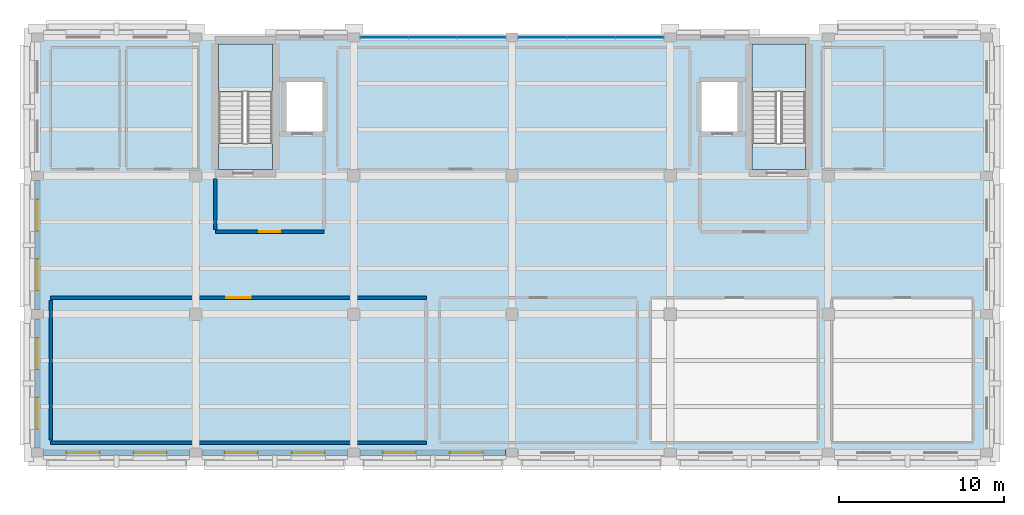
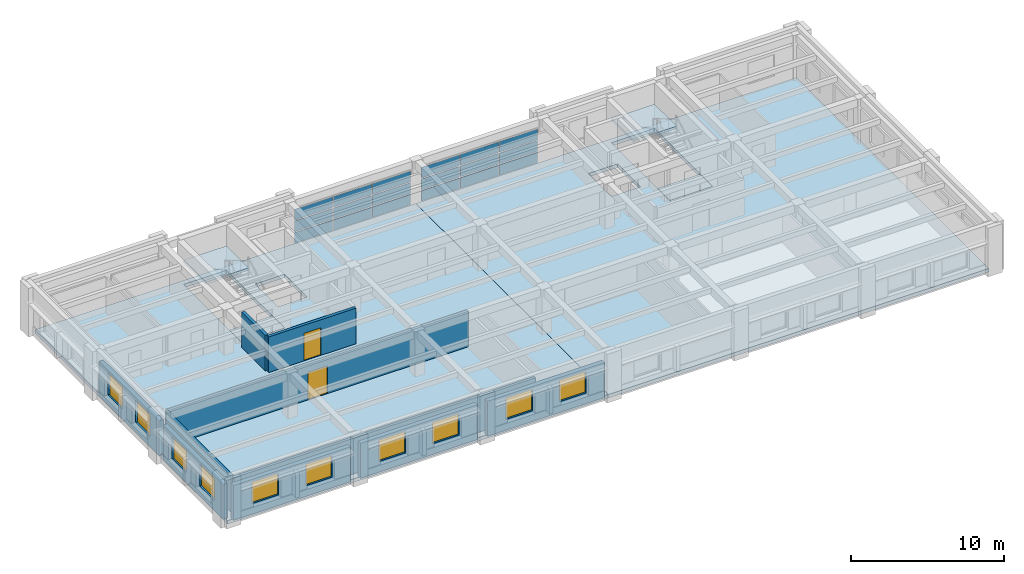
# One storey, part 5 of 11: 18 plates, 10 walls, 10 windows, 6 slabs, 2 doors, 12 openings, 4 elements without a shape of their own.
"""IFC4 building model written with IfcOpenShell, lengths in metres."""

from ifc_helpers import new_model, si_unit, direction, frame, frame_2d, origin, origin_2d, place, context, subcontext, project, spatial, polyline, rectangle, outline, extrude, material, layer, layer_set, type_object, element, fill, aggregate, save


model = new_model("IFC4")

# Units and contexts
model_context = context("Model", 3, precision=1e-05, world=origin(), true_north=direction((0.0, 1.0)))
body_context = subcontext(model_context, "Body", "Model", "MODEL_VIEW")
ifc_project = project(units=[si_unit("LENGTHUNIT", "METRE"), si_unit("AREAUNIT", "SQUARE_METRE"), si_unit("VOLUMEUNIT", "CUBIC_METRE"), si_unit("PLANEANGLEUNIT", "RADIAN"), si_unit("MASSUNIT", "GRAM", prefix="KILO")], contexts=[model_context])

# Site, building, storey
site_placement = place(None, origin())
site = spatial("IfcSite", under=ifc_project, at=site_placement, CompositionType="ELEMENT")
building_placement = place(site_placement, origin())
building = spatial("IfcBuilding", under=site, at=building_placement, Name="Bempovik Park Faculty of Sciences", CompositionType="ELEMENT")
storey_placement = place(building_placement, frame((0.0, 0.0, 30.60009765625)))
storey = spatial("IfcBuildingStorey", under=building, at=storey_placement, Name="L07", CompositionType="ELEMENT", Elevation=30.60009765625)

# Curtain wall, plates
ifc_material_1 = material(Name="Tempered laminated low-E glass", Category="glass")
ifc_layer_1 = layer(ifc_material_1, 0.159912109375)
ifc_layer_set_1 = layer_set([ifc_layer_1], Name="Tempered laminated low-E glass")
curtain_wall_type = type_object("IfcCurtainWallType", Name="CW-24 Curtain 7000x3500", PredefinedType="USERDEFINED", material=ifc_layer_set_1)
curtain_wall_1_placement = place(storey_placement, origin())
curtain_wall_1 = element("IfcCurtainWall", 1, at=curtain_wall_1_placement, inside=storey, type_object=curtain_wall_type, Name="L07 Unitised Curtain Wall (119.4,79.2)", ObjectType="UNITISED CURTAIN WALL", PredefinedType="USERDEFINED")
ifc_layer_2 = layer(ifc_material_1, 0.028076171875)
ifc_layer_set_2 = layer_set([ifc_layer_2], Name="Tempered laminated low-E glass")
plate_type_1 = type_object("IfcPlateType", Name="CP-20 Curtain Panel 28mm", PredefinedType="CURTAIN_PANEL", material=ifc_layer_set_2)
plate_1_placement = place(storey_placement, frame((81.05126953125, 119.39990234375, 0.966552734375), z_axis=(0.0, 0.0, 1.0), x_axis=(1.0, 0.0, 0.0)))
plate_1 = element("IfcPlate", 2, at=plate_1_placement, type_object=plate_type_1, Name="CW-BAY-L07-1194-792 Panel 0-1", PredefinedType="CURTAIN_PANEL", context=body_context, shape_type="SweptSolid", body=[
    extrude(rectangle(XDim=2.86865234375, YDim=0.035888671875, at=origin_2d()), origin(), (0.0, 0.0, 1.0), 0.8466796875),
])
plate_2_placement = place(storey_placement, frame((81.05126953125, 119.39990234375, 1.893310546875), z_axis=(0.0, 0.0, 1.0), x_axis=(1.0, 0.0, 0.0)))
plate_2 = element("IfcPlate", 3, at=plate_2_placement, type_object=plate_type_1, Name="CW-BAY-L07-1194-792 Panel 0-2", PredefinedType="CURTAIN_PANEL", context=body_context, shape_type="SweptSolid", body=[
    extrude(rectangle(XDim=2.86865234375, YDim=0.035888671875, at=origin_2d()), origin(), (0.0, 0.0, 1.0), 0.8466796875),
])
plate_3_placement = place(storey_placement, frame((84.0, 119.39990234375, 0.966552734375), z_axis=(0.0, 0.0, 1.0), x_axis=(1.0, 0.0, 0.0)))
plate_3 = element("IfcPlate", 4, at=plate_3_placement, type_object=plate_type_1, Name="CW-BAY-L07-1194-792 Panel 1-1", PredefinedType="CURTAIN_PANEL", context=body_context, shape_type="SweptSolid", body=[
    extrude(rectangle(XDim=2.86865234375, YDim=0.035888671875, at=origin_2d()), origin(), (0.0, 0.0, 1.0), 0.8466796875),
])
plate_4_placement = place(storey_placement, frame((84.0, 119.39990234375, 1.893310546875), z_axis=(0.0, 0.0, 1.0), x_axis=(1.0, 0.0, 0.0)))
plate_4 = element("IfcPlate", 5, at=plate_4_placement, type_object=plate_type_1, Name="CW-BAY-L07-1194-792 Panel 1-2", PredefinedType="CURTAIN_PANEL", context=body_context, shape_type="SweptSolid", body=[
    extrude(rectangle(XDim=2.86865234375, YDim=0.035888671875, at=origin_2d()), origin(), (0.0, 0.0, 1.0), 0.8466796875),
])
plate_5_placement = place(storey_placement, frame((86.94873046875, 119.39990234375, 0.966552734375), z_axis=(0.0, 0.0, 1.0), x_axis=(1.0, 0.0, 0.0)))
plate_5 = element("IfcPlate", 6, at=plate_5_placement, type_object=plate_type_1, Name="CW-BAY-L07-1194-792 Panel 2-1", PredefinedType="CURTAIN_PANEL", context=body_context, shape_type="SweptSolid", body=[
    extrude(rectangle(XDim=2.86865234375, YDim=0.035888671875, at=origin_2d()), origin(), (0.0, 0.0, 1.0), 0.8466796875),
])
plate_6_placement = place(storey_placement, frame((86.94873046875, 119.39990234375, 1.893310546875), z_axis=(0.0, 0.0, 1.0), x_axis=(1.0, 0.0, 0.0)))
plate_6 = element("IfcPlate", 7, at=plate_6_placement, type_object=plate_type_1, Name="CW-BAY-L07-1194-792 Panel 2-2", PredefinedType="CURTAIN_PANEL", context=body_context, shape_type="SweptSolid", body=[
    extrude(rectangle(XDim=2.86865234375, YDim=0.035888671875, at=origin_2d()), origin(), (0.0, 0.0, 1.0), 0.8466796875),
])

curtain_wall_2_placement = place(storey_placement, origin())
curtain_wall_2 = element("IfcCurtainWall", 8, at=curtain_wall_2_placement, inside=storey, type_object=curtain_wall_type, Name="L07 Unitised Curtain Wall (119.4,88.8)", ObjectType="UNITISED CURTAIN WALL", PredefinedType="USERDEFINED")
plate_7_placement = place(storey_placement, frame((90.6513671875, 119.39990234375, 0.966552734375), z_axis=(0.0, 0.0, 1.0), x_axis=(1.0, 0.0, 0.0)))
plate_7 = element("IfcPlate", 9, at=plate_7_placement, type_object=plate_type_1, Name="CW-BAY-L07-1194-888 Panel 0-1", PredefinedType="CURTAIN_PANEL", context=body_context, shape_type="SweptSolid", body=[
    extrude(rectangle(XDim=2.86865234375, YDim=0.035888671875, at=origin_2d()), origin(), (0.0, 0.0, 1.0), 0.8466796875),
])
plate_8_placement = place(storey_placement, frame((90.6513671875, 119.39990234375, 1.893310546875), z_axis=(0.0, 0.0, 1.0), x_axis=(1.0, 0.0, 0.0)))
plate_8 = element("IfcPlate", 10, at=plate_8_placement, type_object=plate_type_1, Name="CW-BAY-L07-1194-888 Panel 0-2", PredefinedType="CURTAIN_PANEL", context=body_context, shape_type="SweptSolid", body=[
    extrude(rectangle(XDim=2.86865234375, YDim=0.035888671875, at=origin_2d()), origin(), (0.0, 0.0, 1.0), 0.8466796875),
])
plate_9_placement = place(storey_placement, frame((93.60009765625, 119.39990234375, 0.966552734375), z_axis=(0.0, 0.0, 1.0), x_axis=(1.0, 0.0, 0.0)))
plate_9 = element("IfcPlate", 11, at=plate_9_placement, type_object=plate_type_1, Name="CW-BAY-L07-1194-888 Panel 1-1", PredefinedType="CURTAIN_PANEL", context=body_context, shape_type="SweptSolid", body=[
    extrude(rectangle(XDim=2.86865234375, YDim=0.035888671875, at=origin_2d()), origin(), (0.0, 0.0, 1.0), 0.8466796875),
])
plate_10_placement = place(storey_placement, frame((93.60009765625, 119.39990234375, 1.893310546875), z_axis=(0.0, 0.0, 1.0), x_axis=(1.0, 0.0, 0.0)))
plate_10 = element("IfcPlate", 12, at=plate_10_placement, type_object=plate_type_1, Name="CW-BAY-L07-1194-888 Panel 1-2", PredefinedType="CURTAIN_PANEL", context=body_context, shape_type="SweptSolid", body=[
    extrude(rectangle(XDim=2.86865234375, YDim=0.035888671875, at=origin_2d()), origin(), (0.0, 0.0, 1.0), 0.8466796875),
])
plate_11_placement = place(storey_placement, frame((96.548583984375, 119.39990234375, 0.966552734375), z_axis=(0.0, 0.0, 1.0), x_axis=(1.0, 0.0, 0.0)))
plate_11 = element("IfcPlate", 13, at=plate_11_placement, type_object=plate_type_1, Name="CW-BAY-L07-1194-888 Panel 2-1", PredefinedType="CURTAIN_PANEL", context=body_context, shape_type="SweptSolid", body=[
    extrude(rectangle(XDim=2.86865234375, YDim=0.035888671875, at=origin_2d()), origin(), (0.0, 0.0, 1.0), 0.8466796875),
])
plate_12_placement = place(storey_placement, frame((96.548583984375, 119.39990234375, 1.893310546875), z_axis=(0.0, 0.0, 1.0), x_axis=(1.0, 0.0, 0.0)))
plate_12 = element("IfcPlate", 14, at=plate_12_placement, type_object=plate_type_1, Name="CW-BAY-L07-1194-888 Panel 2-2", PredefinedType="CURTAIN_PANEL", context=body_context, shape_type="SweptSolid", body=[
    extrude(rectangle(XDim=2.86865234375, YDim=0.035888671875, at=origin_2d()), origin(), (0.0, 0.0, 1.0), 0.8466796875),
])

# Plate
ifc_material_2 = material(Name="Anodised architectural bronze")
ifc_layer_3 = layer(ifc_material_2, 0.048095703125)
ifc_layer_set_3 = layer_set([ifc_layer_3], Name="Anodised architectural bronze")
plate_type_2 = type_object("IfcPlateType", Name="CP-24 Curtain Panel 48mm", PredefinedType="CURTAIN_PANEL", material=ifc_layer_set_3)
plate_13_placement = place(storey_placement, frame((81.05126953125, 119.39990234375, 0.039794921875), z_axis=(0.0, 0.0, 1.0), x_axis=(1.0, 0.0, 0.0)))
plate_13 = element("IfcPlate", 15, at=plate_13_placement, type_object=plate_type_2, Name="CW-BAY-L07-1194-792 Panel 0-0", PredefinedType="CURTAIN_PANEL", context=body_context, shape_type="SweptSolid", body=[
    extrude(rectangle(XDim=2.86865234375, YDim=0.035888671875, at=origin_2d()), origin(), (0.0, 0.0, 1.0), 0.8466796875),
])

plate_14_placement = place(storey_placement, frame((84.0, 119.39990234375, 0.039794921875), z_axis=(0.0, 0.0, 1.0), x_axis=(1.0, 0.0, 0.0)))
plate_14 = element("IfcPlate", 16, at=plate_14_placement, type_object=plate_type_2, Name="CW-BAY-L07-1194-792 Panel 1-0", PredefinedType="CURTAIN_PANEL", context=body_context, shape_type="SweptSolid", body=[
    extrude(rectangle(XDim=2.86865234375, YDim=0.035888671875, at=origin_2d()), origin(), (0.0, 0.0, 1.0), 0.8466796875),
])

plate_15_placement = place(storey_placement, frame((86.94873046875, 119.39990234375, 0.039794921875), z_axis=(0.0, 0.0, 1.0), x_axis=(1.0, 0.0, 0.0)))
plate_15 = element("IfcPlate", 17, at=plate_15_placement, type_object=plate_type_2, Name="CW-BAY-L07-1194-792 Panel 2-0", PredefinedType="CURTAIN_PANEL", context=body_context, shape_type="SweptSolid", body=[
    extrude(rectangle(XDim=2.86865234375, YDim=0.035888671875, at=origin_2d()), origin(), (0.0, 0.0, 1.0), 0.8466796875),
])

aggregate(curtain_wall_1, [plate_13, plate_1, plate_2, plate_14, plate_3, plate_4, plate_15, plate_5, plate_6])

plate_16_placement = place(storey_placement, frame((90.6513671875, 119.39990234375, 0.039794921875), z_axis=(0.0, 0.0, 1.0), x_axis=(1.0, 0.0, 0.0)))
plate_16 = element("IfcPlate", 18, at=plate_16_placement, type_object=plate_type_2, Name="CW-BAY-L07-1194-888 Panel 0-0", PredefinedType="CURTAIN_PANEL", context=body_context, shape_type="SweptSolid", body=[
    extrude(rectangle(XDim=2.86865234375, YDim=0.035888671875, at=origin_2d()), origin(), (0.0, 0.0, 1.0), 0.8466796875),
])

plate_17_placement = place(storey_placement, frame((93.60009765625, 119.39990234375, 0.039794921875), z_axis=(0.0, 0.0, 1.0), x_axis=(1.0, 0.0, 0.0)))
plate_17 = element("IfcPlate", 19, at=plate_17_placement, type_object=plate_type_2, Name="CW-BAY-L07-1194-888 Panel 1-0", PredefinedType="CURTAIN_PANEL", context=body_context, shape_type="SweptSolid", body=[
    extrude(rectangle(XDim=2.86865234375, YDim=0.035888671875, at=origin_2d()), origin(), (0.0, 0.0, 1.0), 0.8466796875),
])

plate_18_placement = place(storey_placement, frame((96.548583984375, 119.39990234375, 0.039794921875), z_axis=(0.0, 0.0, 1.0), x_axis=(1.0, 0.0, 0.0)))
plate_18 = element("IfcPlate", 20, at=plate_18_placement, type_object=plate_type_2, Name="CW-BAY-L07-1194-888 Panel 2-0", PredefinedType="CURTAIN_PANEL", context=body_context, shape_type="SweptSolid", body=[
    extrude(rectangle(XDim=2.86865234375, YDim=0.035888671875, at=origin_2d()), origin(), (0.0, 0.0, 1.0), 0.8466796875),
])

aggregate(curtain_wall_2, [plate_16, plate_7, plate_8, plate_17, plate_9, plate_10, plate_18, plate_11, plate_12])

# Slabs
ifc_material_3 = material(Name="Concrete C35/45", Category="concrete")
ifc_layer_4 = layer(ifc_material_3, 0.280029296875)
ifc_layer_set_4 = layer_set([ifc_layer_4], Name="Concrete C35/45")
slab_type_1 = type_object("IfcSlabType", Name="S-32 Slab 280mm", PredefinedType="FLOOR", material=ifc_layer_set_4)
slab_1_placement = place(storey_placement, frame((0.0, 0.0, -0.280029296875)))
element("IfcSlab", 21, at=slab_1_placement, inside=storey, type_object=slab_type_1, Name="L07 North Research Tower Floor Slab (W)", PredefinedType="FLOOR", context=body_context, shape_type="SweptSolid", body=[
    extrude(outline(polyline([(60.0, 94.199951171875), (88.800048828125, 94.199951171875), (88.800048828125, 119.39990234375), (60.0, 119.39990234375), (60.0, 94.199951171875)]), holes=[polyline([(71.0, 111.375), (74.25, 111.375), (74.25, 119.0), (71.0, 119.0), (71.0, 111.375)]), polyline([(75.10009765625, 113.699951171875), (77.300048828125, 113.699951171875), (77.300048828125, 116.699951171875), (75.10009765625, 116.699951171875), (75.10009765625, 113.699951171875)])]), origin(), (0.0, 0.0, 1.0), 0.280029296875),
])
slab_2_placement = place(storey_placement, frame((0.0, 0.0, -0.280029296875)))
element("IfcSlab", 22, at=slab_2_placement, inside=storey, type_object=slab_type_1, Name="L07 North Research Tower Floor Slab (E)", PredefinedType="FLOOR", context=body_context, shape_type="SweptSolid", body=[
    extrude(outline(polyline([(88.800048828125, 94.199951171875), (117.60009765625, 94.199951171875), (117.60009765625, 119.39990234375), (88.800048828125, 119.39990234375), (88.800048828125, 94.199951171875)]), holes=[polyline([(103.375, 111.375), (106.625, 111.375), (106.625, 119.0), (103.375, 119.0), (103.375, 111.375)]), polyline([(100.300048828125, 113.699951171875), (102.5, 113.699951171875), (102.5, 116.699951171875), (100.300048828125, 116.699951171875), (100.300048828125, 113.699951171875)])]), origin(), (0.0, 0.0, 1.0), 0.280029296875),
])

# Stair, slab
stair_type = type_object("IfcStairType", Name="ST-17 Stair W1500 H3900", PredefinedType="HALF_TURN_STAIR", material=ifc_material_3)
stair_1_placement = place(storey_placement, origin())
stair_1 = element("IfcStair", 23, at=stair_1_placement, inside=storey, type_object=stair_type, Name="L07 ST-1 Dog-Leg Exit Stair", PredefinedType="HALF_TURN_STAIR")
ifc_layer_5 = layer(ifc_material_3, 0.199951171875)
ifc_layer_set_5 = layer_set([ifc_layer_5], Name="Concrete C35/45")
slab_type_2 = type_object("IfcSlabType", Name="S-41 Slab 200mm", PredefinedType="LANDING", material=ifc_layer_set_5)
slab_3_placement = place(storey_placement, frame((0.0, 0.0, 1.75)))
slab_3 = element("IfcSlab", 24, at=slab_3_placement, type_object=slab_type_2, Name="ST-17 landing 1", PredefinedType="LANDING", context=body_context, shape_type="SweptSolid", body=[
    extrude(outline(polyline([(74.25, 116.09375), (74.25, 119.0), (71.0, 119.0), (71.0, 116.09375), (74.25, 116.09375)])), origin(), (0.0, 0.0, 1.0), 0.199951171875),
])
aggregate(stair_1, [slab_3])

# Slab
slab_4_placement = place(storey_placement, frame((0.0, 0.0, -0.280029296875)))
element("IfcSlab", 25, at=slab_4_placement, inside=storey, type_object=slab_type_2, Name="L07 ST-1 Floor Landing Slab", PredefinedType="LANDING", context=body_context, shape_type="SweptSolid", body=[
    extrude(outline(polyline([(74.25, 111.375), (74.25, 113.0), (71.0, 113.0), (71.0, 111.375), (74.25, 111.375)])), origin(), (0.0, 0.0, 1.0), 0.280029296875),
])

# Stair, slab
stair_2_placement = place(storey_placement, origin())
stair_2 = element("IfcStair", 26, at=stair_2_placement, inside=storey, type_object=stair_type, Name="L07 ST-2 Dog-Leg Exit Stair", PredefinedType="HALF_TURN_STAIR")
slab_5_placement = place(storey_placement, frame((0.0, 0.0, 1.75)))
slab_5 = element("IfcSlab", 27, at=slab_5_placement, type_object=slab_type_2, Name="ST-17 landing 1", PredefinedType="LANDING", context=body_context, shape_type="SweptSolid", body=[
    extrude(outline(polyline([(106.625, 116.09375), (106.625, 119.0), (103.375, 119.0), (103.375, 116.09375), (106.625, 116.09375)])), origin(), (0.0, 0.0, 1.0), 0.199951171875),
])
aggregate(stair_2, [slab_5])

# Slab
slab_6_placement = place(storey_placement, frame((0.0, 0.0, -0.280029296875)))
element("IfcSlab", 28, at=slab_6_placement, inside=storey, type_object=slab_type_2, Name="L07 ST-2 Floor Landing Slab", PredefinedType="LANDING", context=body_context, shape_type="SweptSolid", body=[
    extrude(outline(polyline([(106.625, 111.375), (106.625, 113.0), (103.375, 113.0), (103.375, 111.375), (106.625, 111.375)])), origin(), (0.0, 0.0, 1.0), 0.280029296875),
])

# Wall, opening, door
ifc_layer_6 = layer(ifc_material_3, 0.219970703125)
ifc_layer_set_6 = layer_set([ifc_layer_6], Name="Concrete C35/45")
wall_type_1 = type_object("IfcWallType", Name="W-38 Wall 220mm", PredefinedType="PARTITIONING", material=ifc_layer_set_6)
wall_1_placement = place(storey_placement, frame((70.800048828125, 107.60009765625, 0.0), z_axis=(0.0, 0.0, 1.0), x_axis=(1.0, 0.0, 0.0)))
wall_1 = element("IfcWall", 29, at=wall_1_placement, inside=storey, type_object=wall_type_1, Name="L07 Firefighting Lift Lobby West Partition South", PredefinedType="PARTITIONING", context=body_context, shape_type="SweptSolid", body=[
    extrude(rectangle(XDim=6.599853515625, YDim=0.219970703125, at=frame_2d((3.2998046875, 0.0))), origin(), (0.0, 0.0, 1.0), 2.849853515625),
])
opening_1_placement = place(wall_1_placement, frame((2.64990234375, 0.0, 0.0)))
opening_1 = element("IfcOpeningElement", 30, at=opening_1_placement, cuts=wall_1, Name="Opening D-38", PredefinedType="OPENING", context=body_context, shape_type="SweptSolid", body=[
    extrude(rectangle(XDim=1.300048828125, YDim=2.199951171875, at=frame_2d((0.64990234375, 1.10009765625))), frame((0.0, 0.1201171875, 0.0), z_axis=(0.0, -1.0, 0.0), x_axis=(1.0, 0.0, 0.0)), (0.0, 0.0, 1.0), 0.239990234375),
])
ifc_material_4 = material(Name="Painted steel S355", Category="steel")
door_type_1 = type_object("IfcDoorType", Name="D-38 Door 1300x2200", OperationType="NOTDEFINED", PredefinedType="DOOR", material=ifc_material_4)
door_1_placement = place(opening_1_placement, origin())
door_1 = element("IfcDoor", 31, at=door_1_placement, inside=storey, type_object=door_type_1, Name="L07 Firefighting Lift Lobby West Door", OperationType="SINGLE_SWING_RIGHT", OverallHeight=2.199951171875, OverallWidth=1.300048828125, PredefinedType="DOOR", context=body_context, shape_type="SweptSolid", body=[
    extrude(rectangle(XDim=1.300048828125, YDim=2.199951171875, at=frame_2d((0.64990234375, 1.10009765625))), frame((0.0, 0.02490234375, 0.0), z_axis=(0.0, -1.0, 0.0), x_axis=(1.0, 0.0, 0.0)), (0.0, 0.0, 1.0), 0.050048828125),
])
fill(opening_1, door_1)

# Wall
wall_2_placement = place(storey_placement, frame((70.800048828125, 107.760009765625, 0.0), z_axis=(0.0, 0.0, 1.0), x_axis=(0.0, 1.0, 0.0)))
element("IfcWall", 32, at=wall_2_placement, inside=storey, type_object=wall_type_1, Name="L07 Firefighting Lift Lobby West Partition West", PredefinedType="PARTITIONING", context=body_context, shape_type="SweptSolid", body=[
    extrude(rectangle(XDim=3.080078125, YDim=0.219970703125, at=frame_2d((1.5400390625, 0.0))), origin(), (0.0, 0.0, 1.0), 2.849853515625),
])

# Wall, openings, windows
ifc_material_5 = material(Name="Precast concrete C40/50", Category="concrete")
ifc_layer_7 = layer(ifc_material_5, 0.320068359375)
ifc_layer_set_7 = layer_set([ifc_layer_7], Name="Precast concrete C40/50")
wall_type_2 = type_object("IfcWallType", Name="W-56 Wall 320mm", PredefinedType="SOLIDWALL", material=ifc_layer_set_7)
wall_3_placement = place(storey_placement, frame((60.0, 94.47705078125, 0.0), z_axis=(0.0, 0.0, 1.0), x_axis=(0.0, 1.0, 0.0)))
wall_3 = element("IfcWall", 33, at=wall_3_placement, inside=storey, type_object=wall_type_2, Name="L07 Classical Precast Facade Wall EW-L07-10664", PredefinedType="SOLIDWALL", context=body_context, shape_type="SweptSolid", body=[
    extrude(rectangle(XDim=7.845947265625, YDim=0.320068359375, at=frame_2d((3.9228515625, 0.0))), origin(), (0.0, 0.0, 1.0), 2.77978515625),
])
opening_2_placement = place(wall_3_placement, frame((1.16845703125, 0.0, 0.800048828125)))
opening_2 = element("IfcOpeningElement", 34, at=opening_2_placement, cuts=wall_3, Name="Opening WN-77", PredefinedType="OPENING", context=body_context, shape_type="SweptSolid", body=[
    extrude(rectangle(XDim=1.89990234375, YDim=1.75, at=frame_2d((0.949951171875, 0.875))), frame((0.0, 0.169921875, 0.0), z_axis=(0.0, -1.0, 0.0), x_axis=(1.0, 0.0, 0.0)), (0.0, 0.0, 1.0), 0.340087890625),
])
opening_3_placement = place(wall_3_placement, frame((4.777587890625, 0.0, 0.800048828125)))
opening_3 = element("IfcOpeningElement", 35, at=opening_3_placement, cuts=wall_3, Name="Opening WN-77", PredefinedType="OPENING", context=body_context, shape_type="SweptSolid", body=[
    extrude(rectangle(XDim=1.89990234375, YDim=1.75, at=frame_2d((0.949951171875, 0.875))), frame((0.0, 0.169921875, 0.0), z_axis=(0.0, -1.0, 0.0), x_axis=(1.0, 0.0, 0.0)), (0.0, 0.0, 1.0), 0.340087890625),
])
window_type_1 = type_object("IfcWindowType", Name="WN-77 Window 1900x1750", PartitioningType="SINGLE_PANEL", PredefinedType="WINDOW", material=ifc_material_1)
window_1_placement = place(opening_2_placement, origin())
window_1 = element("IfcWindow", 36, at=window_1_placement, inside=storey, type_object=window_type_1, Name="L07 Window EW-L07-10664-1", OverallHeight=1.75, OverallWidth=1.89990234375, PartitioningType="SINGLE_PANEL", PredefinedType="WINDOW", context=body_context, shape_type="SweptSolid", body=[
    extrude(rectangle(XDim=1.89990234375, YDim=1.75, at=frame_2d((0.949951171875, 0.875))), frame((0.0, 0.030029296875, 0.0), z_axis=(0.0, -1.0, 0.0), x_axis=(1.0, 0.0, 0.0)), (0.0, 0.0, 1.0), 0.06005859375),
])
fill(opening_2, window_1)
window_2_placement = place(opening_3_placement, origin())
window_2 = element("IfcWindow", 37, at=window_2_placement, inside=storey, type_object=window_type_1, Name="L07 Window EW-L07-10664-2", OverallHeight=1.75, OverallWidth=1.89990234375, PartitioningType="SINGLE_PANEL", PredefinedType="WINDOW", context=body_context, shape_type="SweptSolid", body=[
    extrude(rectangle(XDim=1.89990234375, YDim=1.75, at=frame_2d((0.949951171875, 0.875))), frame((0.0, 0.030029296875, 0.0), z_axis=(0.0, -1.0, 0.0), x_axis=(1.0, 0.0, 0.0)), (0.0, 0.0, 1.0), 0.06005859375),
])
fill(opening_3, window_2)

wall_4_placement = place(storey_placement, frame((60.0, 102.876953125, 0.0), z_axis=(0.0, 0.0, 1.0), x_axis=(0.0, 1.0, 0.0)))
wall_4 = element("IfcWall", 38, at=wall_4_placement, inside=storey, type_object=wall_type_2, Name="L07 Classical Precast Facade Wall EW-L07-10677", PredefinedType="SOLIDWALL", context=body_context, shape_type="SweptSolid", body=[
    extrude(rectangle(XDim=7.845947265625, YDim=0.320068359375, at=frame_2d((3.9228515625, 0.0))), origin(), (0.0, 0.0, 1.0), 2.77978515625),
])
opening_4_placement = place(wall_4_placement, frame((1.16845703125, 0.0, 0.800048828125)))
opening_4 = element("IfcOpeningElement", 39, at=opening_4_placement, cuts=wall_4, Name="Opening WN-77", PredefinedType="OPENING", context=body_context, shape_type="SweptSolid", body=[
    extrude(rectangle(XDim=1.89990234375, YDim=1.75, at=frame_2d((0.949951171875, 0.875))), frame((0.0, 0.169921875, 0.0), z_axis=(0.0, -1.0, 0.0), x_axis=(1.0, 0.0, 0.0)), (0.0, 0.0, 1.0), 0.340087890625),
])
opening_5_placement = place(wall_4_placement, frame((4.777587890625, 0.0, 0.800048828125)))
opening_5 = element("IfcOpeningElement", 40, at=opening_5_placement, cuts=wall_4, Name="Opening WN-77", PredefinedType="OPENING", context=body_context, shape_type="SweptSolid", body=[
    extrude(rectangle(XDim=1.89990234375, YDim=1.75, at=frame_2d((0.949951171875, 0.875))), frame((0.0, 0.169921875, 0.0), z_axis=(0.0, -1.0, 0.0), x_axis=(1.0, 0.0, 0.0)), (0.0, 0.0, 1.0), 0.340087890625),
])
window_3_placement = place(opening_4_placement, origin())
window_3 = element("IfcWindow", 41, at=window_3_placement, inside=storey, type_object=window_type_1, Name="L07 Window EW-L07-10677-1", OverallHeight=1.75, OverallWidth=1.89990234375, PartitioningType="SINGLE_PANEL", PredefinedType="WINDOW", context=body_context, shape_type="SweptSolid", body=[
    extrude(rectangle(XDim=1.89990234375, YDim=1.75, at=frame_2d((0.949951171875, 0.875))), frame((0.0, 0.030029296875, 0.0), z_axis=(0.0, -1.0, 0.0), x_axis=(1.0, 0.0, 0.0)), (0.0, 0.0, 1.0), 0.06005859375),
])
fill(opening_4, window_3)
window_4_placement = place(opening_5_placement, origin())
window_4 = element("IfcWindow", 42, at=window_4_placement, inside=storey, type_object=window_type_1, Name="L07 Window EW-L07-10677-2", OverallHeight=1.75, OverallWidth=1.89990234375, PartitioningType="SINGLE_PANEL", PredefinedType="WINDOW", context=body_context, shape_type="SweptSolid", body=[
    extrude(rectangle(XDim=1.89990234375, YDim=1.75, at=frame_2d((0.949951171875, 0.875))), frame((0.0, 0.030029296875, 0.0), z_axis=(0.0, -1.0, 0.0), x_axis=(1.0, 0.0, 0.0)), (0.0, 0.0, 1.0), 0.06005859375),
])
fill(opening_5, window_4)

wall_5_placement = place(storey_placement, frame((60.376953125, 94.199951171875, 0.0), z_axis=(0.0, 0.0, 1.0), x_axis=(1.0, 0.0, 0.0)))
wall_5 = element("IfcWall", 43, at=wall_5_placement, inside=storey, type_object=wall_type_2, Name="L07 Classical Precast Facade Wall EW-L07-10701", PredefinedType="SOLIDWALL", context=body_context, shape_type="SweptSolid", body=[
    extrude(rectangle(XDim=8.845947265625, YDim=0.320068359375, at=frame_2d((4.4228515625, 0.0))), origin(), (0.0, 0.0, 1.0), 2.77978515625),
])
opening_6_placement = place(wall_5_placement, frame((1.388427734375, 0.0, 0.85009765625)))
opening_6 = element("IfcOpeningElement", 44, at=opening_6_placement, cuts=wall_5, Name="Opening WN-61", PredefinedType="OPENING", context=body_context, shape_type="SweptSolid", body=[
    extrude(rectangle(XDim=2.0, YDim=1.699951171875, at=frame_2d((1.0, 0.85009765625))), frame((0.0, 0.169921875, 0.0), z_axis=(0.0, -1.0, 0.0), x_axis=(1.0, 0.0, 0.0)), (0.0, 0.0, 1.0), 0.340087890625),
])
opening_7_placement = place(wall_5_placement, frame((5.45751953125, 0.0, 0.85009765625)))
opening_7 = element("IfcOpeningElement", 45, at=opening_7_placement, cuts=wall_5, Name="Opening WN-61", PredefinedType="OPENING", context=body_context, shape_type="SweptSolid", body=[
    extrude(rectangle(XDim=2.0, YDim=1.699951171875, at=frame_2d((1.0, 0.85009765625))), frame((0.0, 0.169921875, 0.0), z_axis=(0.0, -1.0, 0.0), x_axis=(1.0, 0.0, 0.0)), (0.0, 0.0, 1.0), 0.340087890625),
])
window_type_2 = type_object("IfcWindowType", Name="WN-61 Window 2000x1700", PartitioningType="SINGLE_PANEL", PredefinedType="WINDOW", material=ifc_material_1)
window_5_placement = place(opening_6_placement, origin())
window_5 = element("IfcWindow", 46, at=window_5_placement, inside=storey, type_object=window_type_2, Name="L07 Window EW-L07-10701-1", OverallHeight=1.699951171875, OverallWidth=2.0, PartitioningType="SINGLE_PANEL", PredefinedType="WINDOW", context=body_context, shape_type="SweptSolid", body=[
    extrude(rectangle(XDim=2.0, YDim=1.699951171875, at=frame_2d((1.0, 0.85009765625))), frame((0.0, 0.030029296875, 0.0), z_axis=(0.0, -1.0, 0.0), x_axis=(1.0, 0.0, 0.0)), (0.0, 0.0, 1.0), 0.06005859375),
])
fill(opening_6, window_5)
window_6_placement = place(opening_7_placement, origin())
window_6 = element("IfcWindow", 47, at=window_6_placement, inside=storey, type_object=window_type_2, Name="L07 Window EW-L07-10701-2", OverallHeight=1.699951171875, OverallWidth=2.0, PartitioningType="SINGLE_PANEL", PredefinedType="WINDOW", context=body_context, shape_type="SweptSolid", body=[
    extrude(rectangle(XDim=2.0, YDim=1.699951171875, at=frame_2d((1.0, 0.85009765625))), frame((0.0, 0.030029296875, 0.0), z_axis=(0.0, -1.0, 0.0), x_axis=(1.0, 0.0, 0.0)), (0.0, 0.0, 1.0), 0.06005859375),
])
fill(opening_7, window_6)

wall_6_placement = place(storey_placement, frame((69.97705078125, 94.199951171875, 0.0), z_axis=(0.0, 0.0, 1.0), x_axis=(1.0, 0.0, 0.0)))
wall_6 = element("IfcWall", 48, at=wall_6_placement, inside=storey, type_object=wall_type_2, Name="L07 Classical Precast Facade Wall EW-L07-10714", PredefinedType="SOLIDWALL", context=body_context, shape_type="SweptSolid", body=[
    extrude(rectangle(XDim=8.845947265625, YDim=0.320068359375, at=frame_2d((4.4228515625, 0.0))), origin(), (0.0, 0.0, 1.0), 2.77978515625),
])
opening_8_placement = place(wall_6_placement, frame((1.388427734375, 0.0, 0.85009765625)))
opening_8 = element("IfcOpeningElement", 49, at=opening_8_placement, cuts=wall_6, Name="Opening WN-61", PredefinedType="OPENING", context=body_context, shape_type="SweptSolid", body=[
    extrude(rectangle(XDim=2.0, YDim=1.699951171875, at=frame_2d((1.0, 0.85009765625))), frame((0.0, 0.169921875, 0.0), z_axis=(0.0, -1.0, 0.0), x_axis=(1.0, 0.0, 0.0)), (0.0, 0.0, 1.0), 0.340087890625),
])
opening_9_placement = place(wall_6_placement, frame((5.45751953125, 0.0, 0.85009765625)))
opening_9 = element("IfcOpeningElement", 50, at=opening_9_placement, cuts=wall_6, Name="Opening WN-61", PredefinedType="OPENING", context=body_context, shape_type="SweptSolid", body=[
    extrude(rectangle(XDim=2.0, YDim=1.699951171875, at=frame_2d((1.0, 0.85009765625))), frame((0.0, 0.169921875, 0.0), z_axis=(0.0, -1.0, 0.0), x_axis=(1.0, 0.0, 0.0)), (0.0, 0.0, 1.0), 0.340087890625),
])
window_7_placement = place(opening_8_placement, origin())
window_7 = element("IfcWindow", 51, at=window_7_placement, inside=storey, type_object=window_type_2, Name="L07 Window EW-L07-10714-1", OverallHeight=1.699951171875, OverallWidth=2.0, PartitioningType="SINGLE_PANEL", PredefinedType="WINDOW", context=body_context, shape_type="SweptSolid", body=[
    extrude(rectangle(XDim=2.0, YDim=1.699951171875, at=frame_2d((1.0, 0.85009765625))), frame((0.0, 0.030029296875, 0.0), z_axis=(0.0, -1.0, 0.0), x_axis=(1.0, 0.0, 0.0)), (0.0, 0.0, 1.0), 0.06005859375),
])
fill(opening_8, window_7)
window_8_placement = place(opening_9_placement, origin())
window_8 = element("IfcWindow", 52, at=window_8_placement, inside=storey, type_object=window_type_2, Name="L07 Window EW-L07-10714-2", OverallHeight=1.699951171875, OverallWidth=2.0, PartitioningType="SINGLE_PANEL", PredefinedType="WINDOW", context=body_context, shape_type="SweptSolid", body=[
    extrude(rectangle(XDim=2.0, YDim=1.699951171875, at=frame_2d((1.0, 0.85009765625))), frame((0.0, 0.030029296875, 0.0), z_axis=(0.0, -1.0, 0.0), x_axis=(1.0, 0.0, 0.0)), (0.0, 0.0, 1.0), 0.06005859375),
])
fill(opening_9, window_8)

wall_7_placement = place(storey_placement, frame((79.576904296875, 94.199951171875, 0.0), z_axis=(0.0, 0.0, 1.0), x_axis=(1.0, 0.0, 0.0)))
wall_7 = element("IfcWall", 53, at=wall_7_placement, inside=storey, type_object=wall_type_2, Name="L07 Classical Precast Facade Wall EW-L07-10726", PredefinedType="SOLIDWALL", context=body_context, shape_type="SweptSolid", body=[
    extrude(rectangle(XDim=8.84619140625, YDim=0.320068359375, at=frame_2d((4.423095703125, 0.0))), origin(), (0.0, 0.0, 1.0), 2.77978515625),
])
opening_10_placement = place(wall_7_placement, frame((1.388427734375, 0.0, 0.85009765625)))
opening_10 = element("IfcOpeningElement", 54, at=opening_10_placement, cuts=wall_7, Name="Opening WN-61", PredefinedType="OPENING", context=body_context, shape_type="SweptSolid", body=[
    extrude(rectangle(XDim=2.0, YDim=1.699951171875, at=frame_2d((1.0, 0.85009765625))), frame((0.0, 0.169921875, 0.0), z_axis=(0.0, -1.0, 0.0), x_axis=(1.0, 0.0, 0.0)), (0.0, 0.0, 1.0), 0.340087890625),
])
opening_11_placement = place(wall_7_placement, frame((5.45751953125, 0.0, 0.85009765625)))
opening_11 = element("IfcOpeningElement", 55, at=opening_11_placement, cuts=wall_7, Name="Opening WN-61", PredefinedType="OPENING", context=body_context, shape_type="SweptSolid", body=[
    extrude(rectangle(XDim=2.0, YDim=1.699951171875, at=frame_2d((1.0, 0.85009765625))), frame((0.0, 0.169921875, 0.0), z_axis=(0.0, -1.0, 0.0), x_axis=(1.0, 0.0, 0.0)), (0.0, 0.0, 1.0), 0.340087890625),
])
window_9_placement = place(opening_10_placement, origin())
window_9 = element("IfcWindow", 56, at=window_9_placement, inside=storey, type_object=window_type_2, Name="L07 Window EW-L07-10726-1", OverallHeight=1.699951171875, OverallWidth=2.0, PartitioningType="SINGLE_PANEL", PredefinedType="WINDOW", context=body_context, shape_type="SweptSolid", body=[
    extrude(rectangle(XDim=2.0, YDim=1.699951171875, at=frame_2d((1.0, 0.85009765625))), frame((0.0, 0.030029296875, 0.0), z_axis=(0.0, -1.0, 0.0), x_axis=(1.0, 0.0, 0.0)), (0.0, 0.0, 1.0), 0.06005859375),
])
fill(opening_10, window_9)
window_10_placement = place(opening_11_placement, origin())
window_10 = element("IfcWindow", 57, at=window_10_placement, inside=storey, type_object=window_type_2, Name="L07 Window EW-L07-10726-2", OverallHeight=1.699951171875, OverallWidth=2.0, PartitioningType="SINGLE_PANEL", PredefinedType="WINDOW", context=body_context, shape_type="SweptSolid", body=[
    extrude(rectangle(XDim=2.0, YDim=1.699951171875, at=frame_2d((1.0, 0.85009765625))), frame((0.0, 0.030029296875, 0.0), z_axis=(0.0, -1.0, 0.0), x_axis=(1.0, 0.0, 0.0)), (0.0, 0.0, 1.0), 0.06005859375),
])
fill(opening_11, window_10)

# Wall
ifc_layer_8 = layer(ifc_material_3, 0.199951171875)
ifc_layer_set_8 = layer_set([ifc_layer_8], Name="Concrete C35/45")
wall_type_3 = type_object("IfcWallType", Name="W-59 Wall 200mm", PredefinedType="PARTITIONING", material=ifc_layer_set_8)
wall_8_placement = place(storey_placement, frame((60.800048828125, 94.800048828125, 0.0), z_axis=(0.0, 0.0, 1.0), x_axis=(1.0, 0.0, 0.0)))
element("IfcWall", 58, at=wall_8_placement, inside=storey, type_object=wall_type_3, Name="L07 Computational Climate Modelling Laboratory Partition South", PredefinedType="PARTITIONING", context=body_context, shape_type="SweptSolid", body=[
    extrude(rectangle(XDim=22.800048828125, YDim=0.199951171875, at=frame_2d((11.39990234375, 0.0))), origin(), (0.0, 0.0, 1.0), 2.849853515625),
])

# Wall, opening, door
wall_9_placement = place(storey_placement, frame((60.800048828125, 103.60009765625, 0.0), z_axis=(0.0, 0.0, 1.0), x_axis=(1.0, 0.0, 0.0)))
wall_9 = element("IfcWall", 59, at=wall_9_placement, inside=storey, type_object=wall_type_3, Name="L07 Computational Climate Modelling Laboratory Partition North", PredefinedType="PARTITIONING", context=body_context, shape_type="SweptSolid", body=[
    extrude(rectangle(XDim=22.800048828125, YDim=0.199951171875, at=frame_2d((11.39990234375, 0.0))), origin(), (0.0, 0.0, 1.0), 2.849853515625),
])
opening_12_placement = place(wall_9_placement, frame((10.64990234375, 0.0, 0.0)))
opening_12 = element("IfcOpeningElement", 60, at=opening_12_placement, cuts=wall_9, Name="Opening D-22", PredefinedType="OPENING", context=body_context, shape_type="SweptSolid", body=[
    extrude(rectangle(XDim=1.5, YDim=2.199951171875, at=frame_2d((0.75, 1.10009765625))), frame((0.0, 0.10986328125, 0.0), z_axis=(0.0, -1.0, 0.0), x_axis=(1.0, 0.0, 0.0)), (0.0, 0.0, 1.0), 0.219970703125),
])
ifc_material_6 = material(Name="West African hardwood finish", Category="wood")
door_type_2 = type_object("IfcDoorType", Name="D-22 Door 1500x2200", OperationType="NOTDEFINED", PredefinedType="DOOR", material=ifc_material_6)
door_2_placement = place(opening_12_placement, origin())
door_2 = element("IfcDoor", 61, at=door_2_placement, inside=storey, type_object=door_type_2, Name="L07 Computational Climate Modelling Laboratory Door", OperationType="SINGLE_SWING_LEFT", OverallHeight=2.199951171875, OverallWidth=1.5, PredefinedType="DOOR", context=body_context, shape_type="SweptSolid", body=[
    extrude(rectangle(XDim=1.5, YDim=2.199951171875, at=frame_2d((0.75, 1.10009765625))), frame((0.0, 0.02490234375, 0.0), z_axis=(0.0, -1.0, 0.0), x_axis=(1.0, 0.0, 0.0)), (0.0, 0.0, 1.0), 0.050048828125),
])
fill(opening_12, door_2)

# Wall
wall_10_placement = place(storey_placement, frame((60.800048828125, 94.9599609375, 0.0), z_axis=(0.0, 0.0, 1.0), x_axis=(0.0, 1.0, 0.0)))
element("IfcWall", 62, at=wall_10_placement, inside=storey, type_object=wall_type_3, Name="L07 Computational Climate Modelling Laboratory Partition West", PredefinedType="PARTITIONING", context=body_context, shape_type="SweptSolid", body=[
    extrude(rectangle(XDim=8.47998046875, YDim=0.199951171875, at=frame_2d((4.239990234375, 0.0))), origin(), (0.0, 0.0, 1.0), 2.849853515625),
])

save(model, "model.ifc")
